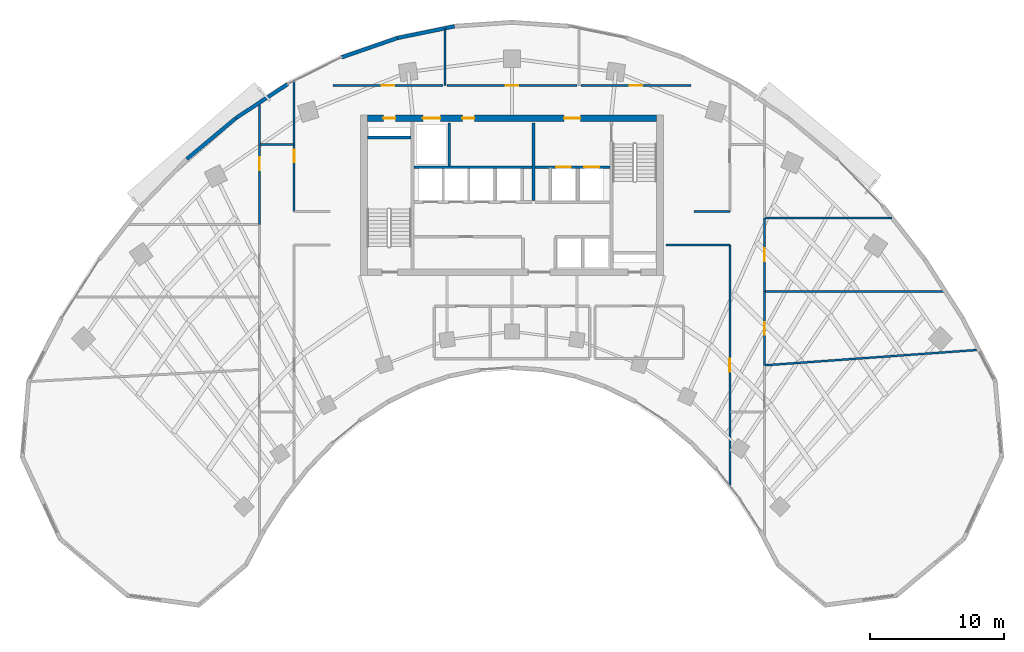
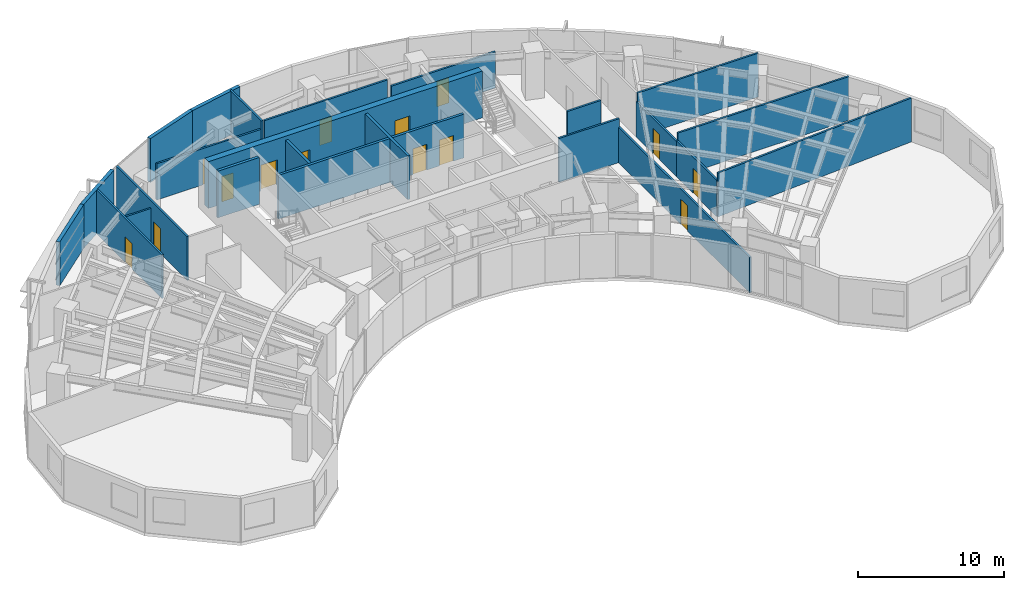
# One storey, part 10 of 14: 25 walls, 14 doors, 14 openings.
"""IFC4 building model written with IfcOpenShell, lengths in metres."""

from ifc_helpers import new_model, si_unit, direction, frame, frame_2d, origin, place, context, subcontext, project, spatial, rectangle, extrude, source, transform, mapped, material, layer, layer_set, type_object, type_shapes, element, fill, save


model = new_model("IFC4")

# Units and contexts
model_context = context("Model", 3, precision=1e-05, world=origin(), true_north=direction((0.0, 1.0)))
body_context = subcontext(model_context, "Body", "Model", "MODEL_VIEW")
ifc_project = project(units=[si_unit("LENGTHUNIT", "METRE"), si_unit("AREAUNIT", "SQUARE_METRE"), si_unit("VOLUMEUNIT", "CUBIC_METRE"), si_unit("PLANEANGLEUNIT", "RADIAN"), si_unit("MASSUNIT", "GRAM", prefix="KILO")], contexts=[model_context])

# Site, building, storey
site_placement = place(None, origin())
site = spatial("IfcSite", under=ifc_project, at=site_placement, CompositionType="ELEMENT")
building_placement = place(site_placement, origin())
building = spatial("IfcBuilding", under=site, at=building_placement, Name="Breltana Convention Tower", CompositionType="ELEMENT")
storey_placement = place(building_placement, frame((0.0, 0.0, 99.89990234375)))
storey = spatial("IfcBuildingStorey", under=building, at=storey_placement, Name="L23", CompositionType="ELEMENT", Elevation=99.89990234375)

# Wall, openings, doors
ifc_material_1 = material(Name="Concrete C60/75", Category="concrete")
ifc_layer_1 = layer(ifc_material_1, 0.5, Name="Concrete C60/75")
ifc_layer_set_1 = layer_set([ifc_layer_1], Name="Concrete C60/75")
wall_type_1 = type_object("IfcWallType", Name="SW-CORE-500", PredefinedType="SHEAR", material=ifc_layer_set_1)
shared_shape_1 = source(origin(), body_context, "Body", "SweptSolid", [
    extrude(rectangle(XDim=21.60009765625, YDim=0.5, at=frame_2d((10.800048828125, 0.0))), origin(), (0.0, 0.0, 1.0), 3.900146484375),
])
wall_1_placement = place(storey_placement, frame((37.199951171875, 71.949951171875, 0.0), z_axis=(0.0, 0.0, 1.0), x_axis=(1.0, 0.0, 0.0)))
wall_1 = element("IfcWall", 1, at=wall_1_placement, inside=storey, type_object=wall_type_1, Name="L23 North Core Shear Wall", PredefinedType="SHEAR", context=body_context, shape_type="MappedRepresentation", body=[
    mapped(shared_shape_1, transform((0.0, 0.0, 0.0), scale=1.0)),
])
opening_1_placement = place(wall_1_placement, frame((1.199951171875, 0.0, 0.0)))
opening_1 = element("IfcOpeningElement", 2, at=opening_1_placement, cuts=wall_1, Name="Opening D-18", PredefinedType="OPENING", context=body_context, shape_type="SweptSolid", body=[
    extrude(rectangle(XDim=0.89990234375, YDim=2.10009765625, at=frame_2d((0.449951171875, 1.050048828125))), frame((0.0, 0.260009765625, 0.0), z_axis=(0.0, -1.0, 0.0), x_axis=(1.0, 0.0, 0.0)), (0.0, 0.0, 1.0), 0.52001953125),
])
opening_2_placement = place(wall_1_placement, frame((14.699951171875, 0.0, 0.0)))
opening_2 = element("IfcOpeningElement", 3, at=opening_2_placement, cuts=wall_1, Name="Opening D-09", PredefinedType="OPENING", context=body_context, shape_type="SweptSolid", body=[
    extrude(rectangle(XDim=1.199951171875, YDim=2.14990234375, at=frame_2d((0.60009765625, 1.074951171875))), frame((0.0, 0.260009765625, 0.0), z_axis=(0.0, -1.0, 0.0), x_axis=(1.0, 0.0, 0.0)), (0.0, 0.0, 1.0), 0.52001953125),
])
opening_3_placement = place(wall_1_placement, frame((4.14990234375, 0.0, 0.0)))
opening_3 = element("IfcOpeningElement", 4, at=opening_3_placement, cuts=wall_1, Name="Opening LD-01", PredefinedType="OPENING", context=body_context, shape_type="SweptSolid", body=[
    extrude(rectangle(XDim=1.300048828125, YDim=2.14990234375, at=frame_2d((0.64990234375, 1.074951171875))), frame((0.0, 0.260009765625, 0.0), z_axis=(0.0, -1.0, 0.0), x_axis=(1.0, 0.0, 0.0)), (0.0, 0.0, 1.0), 0.52001953125),
])
opening_4_placement = place(wall_1_placement, frame((7.10009765625, 0.0, 0.0)))
opening_4 = element("IfcOpeningElement", 5, at=opening_4_placement, cuts=wall_1, Name="Opening D-18", PredefinedType="OPENING", context=body_context, shape_type="SweptSolid", body=[
    extrude(rectangle(XDim=0.89990234375, YDim=2.10009765625, at=frame_2d((0.449951171875, 1.050048828125))), frame((0.0, 0.260009765625, 0.0), z_axis=(0.0, -1.0, 0.0), x_axis=(1.0, 0.0, 0.0)), (0.0, 0.0, 1.0), 0.52001953125),
])
ifc_material_2 = material(Name="Steel Riser Fire Door", Category="steel")
door_type_1 = type_object("IfcDoorType", Name="DR-FD60-900", OperationType="NOTDEFINED", PredefinedType="DOOR", material=ifc_material_2)
shared_shape_2 = source(origin(), body_context, "Body", "SweptSolid", [
    extrude(rectangle(XDim=0.89990234375, YDim=2.10009765625, at=frame_2d((0.449951171875, 1.050048828125))), frame((0.0, 0.02490234375, 0.0), z_axis=(0.0, -1.0, 0.0), x_axis=(1.0, 0.0, 0.0)), (0.0, 0.0, 1.0), 0.050048828125),
])
type_shapes(door_type_1, [shared_shape_2])
door_1_placement = place(opening_1_placement, origin())
door_1 = element("IfcDoor", 6, at=door_1_placement, inside=storey, type_object=door_type_1, Name="L23 Core Riser Access Door D-L23-RS1", OperationType="SINGLE_SWING_LEFT", OverallHeight=2.10009765625, OverallWidth=0.89990234375, PredefinedType="DOOR", context=body_context, shape_type="MappedRepresentation", body=[
    mapped(shared_shape_2, transform((0.0, 0.0, 0.0), scale=1.0)),
])
fill(opening_1, door_1)
door_2_placement = place(opening_4_placement, origin())
door_2 = element("IfcDoor", 7, at=door_2_placement, inside=storey, type_object=door_type_1, Name="L23 interior door D-L23-CRA1", OperationType="SINGLE_SWING_LEFT", OverallHeight=2.10009765625, OverallWidth=0.89990234375, PredefinedType="DOOR", context=body_context, shape_type="MappedRepresentation", body=[
    mapped(shared_shape_2, transform((0.0, 0.0, 0.0), scale=1.0)),
])
fill(opening_4, door_2)
ifc_material_3 = material(Name="Steel Fire Lobby Door", Category="steel")
door_type_2 = type_object("IfcDoorType", Name="DR-FD120-1200", OperationType="NOTDEFINED", PredefinedType="DOOR", material=ifc_material_3)
shared_shape_3 = source(origin(), body_context, "Body", "SweptSolid", [
    extrude(rectangle(XDim=1.199951171875, YDim=2.14990234375, at=frame_2d((0.60009765625, 1.074951171875))), frame((0.0, 0.02490234375, 0.0), z_axis=(0.0, -1.0, 0.0), x_axis=(1.0, 0.0, 0.0)), (0.0, 0.0, 1.0), 0.050048828125),
])
type_shapes(door_type_2, [shared_shape_3])
door_3_placement = place(opening_2_placement, origin())
door_3 = element("IfcDoor", 8, at=door_3_placement, inside=storey, type_object=door_type_2, Name="L23 interior door D-L23-FFL-N", OperationType="SINGLE_SWING_RIGHT", OverallHeight=2.14990234375, OverallWidth=1.199951171875, PredefinedType="DOOR", context=body_context, shape_type="MappedRepresentation", body=[
    mapped(shared_shape_3, transform((0.0, 0.0, 0.0), scale=1.0)),
])
fill(opening_2, door_3)
ifc_material_4 = material(Name="Stainless Steel Brushed", Category="steel")
door_type_3 = type_object("IfcDoorType", Name="DR-LD-SRV-1300", OperationType="DOUBLE_DOOR_SLIDING", PredefinedType="DOOR", material=ifc_material_4)
shared_shape_4 = source(origin(), body_context, "Body", "SweptSolid", [
    extrude(rectangle(XDim=1.300048828125, YDim=2.14990234375, at=frame_2d((0.64990234375, 1.074951171875))), frame((0.0, 0.02490234375, 0.0), z_axis=(0.0, -1.0, 0.0), x_axis=(1.0, 0.0, 0.0)), (0.0, 0.0, 1.0), 0.050048828125),
])
type_shapes(door_type_3, [shared_shape_4])
door_4_placement = place(opening_3_placement, origin())
door_4 = element("IfcDoor", 9, at=door_4_placement, inside=storey, type_object=door_type_3, Name="L23 Lift Landing Door D-L23-LD-SV1", OperationType="DOUBLE_DOOR_SLIDING", OverallHeight=2.14990234375, OverallWidth=1.300048828125, PredefinedType="DOOR", context=body_context, shape_type="MappedRepresentation", body=[
    mapped(shared_shape_4, transform((0.0, 0.0, 0.0), scale=1.0)),
])
fill(opening_3, door_4)

# Walls
ifc_material_5 = material(Name="Concrete C50/60", Category="concrete")
ifc_layer_2 = layer(ifc_material_5, 0.39990234375, Name="Concrete C50/60")
ifc_layer_set_2 = layer_set([ifc_layer_2], Name="Concrete C50/60")
wall_type_2 = type_object("IfcWallType", Name="SW-CORE-400", PredefinedType="SHEAR", material=ifc_layer_set_2)
shared_shape_5 = source(origin(), body_context, "Body", "SweptSolid", [
    extrude(rectangle(XDim=3.27001953125, YDim=0.219970703125, at=frame_2d((1.635009765625, 0.0))), origin(), (0.0, 0.0, 1.0), 3.900146484375),
])
wall_2_placement = place(storey_placement, frame((37.199951171875, 70.510009765625, 0.0), z_axis=(0.0, 0.0, 1.0), x_axis=(1.0, 0.0, 0.0)))
element("IfcWall", 10, at=wall_2_placement, inside=storey, type_object=wall_type_2, Name="L23 ST-1 Stairwell North Bearing Wall", PredefinedType="SHEAR", context=body_context, shape_type="MappedRepresentation", body=[
    mapped(shared_shape_5, transform((0.0, 0.0, 0.0), scale=1.0)),
])
ifc_material_6 = material(Name="Limestone Buff Insulated Wall", Category="masonry")
ifc_layer_3 = layer(ifc_material_6, 0.280029296875, Name="Limestone Buff Insulated Wall")
ifc_layer_set_3 = layer_set([ifc_layer_3], Name="Limestone Buff Insulated Wall")
wall_type_3 = type_object("IfcWallType", Name="WL-EXT-NOSE-280", PredefinedType="SOLIDWALL", material=ifc_layer_set_3)
shared_shape_6 = source(origin(), body_context, "Body", "SweptSolid", [
    extrude(rectangle(XDim=4.76220703125, YDim=0.280029296875, at=frame_2d((2.381103515625, 0.0))), origin(), (0.0, 0.0, 1.0), 3.650146484375),
])
wall_3_placement = place(storey_placement, frame((23.724609375, 68.907470703125, 0.0), z_axis=(0.0, 0.0, 1.0), x_axis=(0.767952279762, 0.640507061638, 0.0)))
element("IfcWall", 11, at=wall_3_placement, inside=storey, type_object=wall_type_3, Name="L23 curved limestone nose wall E22", PredefinedType="SOLIDWALL", context=body_context, shape_type="MappedRepresentation", body=[
    mapped(shared_shape_6, transform((0.0, 0.0, 0.0), scale=1.0)),
])
shared_shape_7 = source(origin(), body_context, "Body", "SweptSolid", [
    extrude(rectangle(XDim=4.625732421875, YDim=0.280029296875, at=frame_2d((2.31298828125, 0.0))), origin(), (0.0, 0.0, 1.0), 3.650146484375),
])
wall_4_placement = place(storey_placement, frame((27.3818359375, 71.957763671875, 0.0), z_axis=(0.0, 0.0, 1.0), x_axis=(0.83595938331, 0.548791316855, 0.0)))
element("IfcWall", 12, at=wall_4_placement, inside=storey, type_object=wall_type_3, Name="L23 curved limestone nose wall E23", PredefinedType="SOLIDWALL", context=body_context, shape_type="MappedRepresentation", body=[
    mapped(shared_shape_7, transform((0.0, 0.0, 0.0), scale=1.0)),
])
shared_shape_8 = source(origin(), body_context, "Body", "SweptSolid", [
    extrude(rectangle(XDim=4.408935546875, YDim=0.280029296875, at=frame_2d((2.20458984375, 0.0))), origin(), (0.0, 0.0, 1.0), 3.650146484375),
])
wall_5_placement = place(storey_placement, frame((35.28564453125, 76.497314453125, 0.0), z_axis=(0.0, 0.0, 1.0), x_axis=(0.944879374121, 0.327418643881, 0.0)))
element("IfcWall", 13, at=wall_5_placement, inside=storey, type_object=wall_type_3, Name="L23 curved limestone nose wall E24", PredefinedType="SOLIDWALL", context=body_context, shape_type="MappedRepresentation", body=[
    mapped(shared_shape_8, transform((0.0, 0.0, 0.0), scale=1.0)),
])
shared_shape_9 = source(origin(), body_context, "Body", "SweptSolid", [
    extrude(rectangle(XDim=4.3408203125, YDim=0.280029296875, at=frame_2d((2.17041015625, 0.0))), origin(), (0.0, 0.0, 1.0), 3.650146484375),
])
wall_6_placement = place(storey_placement, frame((39.45166015625, 77.94091796875, 0.0), z_axis=(0.0, 0.0, 1.0), x_axis=(0.979612918634, 0.20089432457, 0.0)))
element("IfcWall", 14, at=wall_6_placement, inside=storey, type_object=wall_type_3, Name="L23 curved limestone nose wall E25", PredefinedType="SOLIDWALL", context=body_context, shape_type="MappedRepresentation", body=[
    mapped(shared_shape_9, transform((0.0, 0.0, 0.0), scale=1.0)),
])

# Wall, openings, doors
ifc_material_7 = material(Name="Autoclaved Aerated Concrete Block", Category="concrete")
ifc_layer_4 = layer(ifc_material_7, 0.199951171875, Name="Autoclaved Aerated Concrete Block")
ifc_layer_set_4 = layer_set([ifc_layer_4], Name="Autoclaved Aerated Concrete Block")
wall_type_4 = type_object("IfcWallType", Name="WL-SHAFT-200", PredefinedType="SOLIDWALL", material=ifc_layer_set_4)
shared_shape_10 = source(origin(), body_context, "Body", "SweptSolid", [
    extrude(rectangle(XDim=5.6201171875, YDim=0.199951171875, at=frame_2d((2.81005859375, 0.0))), origin(), (0.0, 0.0, 1.0), 3.650146484375),
])
wall_7_placement = place(storey_placement, frame((49.699951171875, 68.300048828125, 0.0), z_axis=(0.0, 0.0, 1.0), x_axis=(1.0, 0.0, 0.0)))
wall_7 = element("IfcWall", 15, at=wall_7_placement, inside=storey, type_object=wall_type_4, Name="L23 interior partition W-L23-FFL-S", PredefinedType="SOLIDWALL", context=body_context, shape_type="MappedRepresentation", body=[
    mapped(shared_shape_10, transform((0.0, 0.0, 0.0), scale=1.0)),
])
opening_5_placement = place(wall_7_placement, frame((1.60009765625, 0.0, 0.0)))
opening_5 = element("IfcOpeningElement", 16, at=opening_5_placement, cuts=wall_7, Name="Opening LD-03", PredefinedType="OPENING", context=body_context, shape_type="SweptSolid", body=[
    extrude(rectangle(XDim=1.10009765625, YDim=2.14990234375, at=frame_2d((0.550048828125, 1.074951171875))), frame((0.0, 0.10986328125, 0.0), z_axis=(0.0, -1.0, 0.0), x_axis=(1.0, 0.0, 0.0)), (0.0, 0.0, 1.0), 0.219970703125),
])
opening_6_placement = place(wall_7_placement, frame((3.699951171875, 0.0, 0.0)))
opening_6 = element("IfcOpeningElement", 17, at=opening_6_placement, cuts=wall_7, Name="Opening LD-03", PredefinedType="OPENING", context=body_context, shape_type="SweptSolid", body=[
    extrude(rectangle(XDim=1.10009765625, YDim=2.14990234375, at=frame_2d((0.550048828125, 1.074951171875))), frame((0.0, 0.10986328125, 0.0), z_axis=(0.0, -1.0, 0.0), x_axis=(1.0, 0.0, 0.0)), (0.0, 0.0, 1.0), 0.219970703125),
])
door_type_4 = type_object("IfcDoorType", Name="DR-LD-FF-1100", OperationType="DOUBLE_DOOR_SLIDING", PredefinedType="DOOR", material=ifc_material_4)
shared_shape_11 = source(origin(), body_context, "Body", "SweptSolid", [
    extrude(rectangle(XDim=1.10009765625, YDim=2.14990234375, at=frame_2d((0.550048828125, 1.074951171875))), frame((0.0, 0.02490234375, 0.0), z_axis=(0.0, -1.0, 0.0), x_axis=(1.0, 0.0, 0.0)), (0.0, 0.0, 1.0), 0.050048828125),
])
type_shapes(door_type_4, [shared_shape_11])
door_5_placement = place(opening_5_placement, origin())
door_5 = element("IfcDoor", 18, at=door_5_placement, inside=storey, type_object=door_type_4, Name="L23 Lift Landing Door D-L23-LD-FL1", OperationType="DOUBLE_DOOR_SLIDING", OverallHeight=2.14990234375, OverallWidth=1.10009765625, PredefinedType="DOOR", context=body_context, shape_type="MappedRepresentation", body=[
    mapped(shared_shape_11, transform((0.0, 0.0, 0.0), scale=1.0)),
])
fill(opening_5, door_5)
door_6_placement = place(opening_6_placement, origin())
door_6 = element("IfcDoor", 19, at=door_6_placement, inside=storey, type_object=door_type_4, Name="L23 Lift Landing Door D-L23-LD-FL2", OperationType="DOUBLE_DOOR_SLIDING", OverallHeight=2.14990234375, OverallWidth=1.10009765625, PredefinedType="DOOR", context=body_context, shape_type="MappedRepresentation", body=[
    mapped(shared_shape_11, transform((0.0, 0.0, 0.0), scale=1.0)),
])
fill(opening_6, door_6)

# Walls
shared_shape_12 = source(origin(), body_context, "Body", "SweptSolid", [
    extrude(rectangle(XDim=5.800048828125, YDim=0.199951171875, at=frame_2d((2.89990234375, 0.0))), origin(), (0.0, 0.0, 1.0), 3.650146484375),
])
wall_8_placement = place(storey_placement, frame((49.60009765625, 65.800048828125, 0.0), z_axis=(0.0, 0.0, 1.0), x_axis=(0.0, 1.0, 0.0)))
element("IfcWall", 20, at=wall_8_placement, inside=storey, type_object=wall_type_4, Name="L23 interior partition W-L23-FFL-W", PredefinedType="SOLIDWALL", context=body_context, shape_type="MappedRepresentation", body=[
    mapped(shared_shape_12, transform((0.0, 0.0, 0.0), scale=1.0)),
])
shared_shape_13 = source(origin(), body_context, "Body", "SweptSolid", [
    extrude(rectangle(XDim=3.2001953125, YDim=0.199951171875, at=frame_2d((1.60009765625, 0.0))), origin(), (0.0, 0.0, 1.0), 3.650146484375),
])
wall_9_placement = place(storey_placement, frame((43.320068359375, 68.39990234375, 0.0), z_axis=(0.0, 0.0, 1.0), x_axis=(0.0, 1.0, 0.0)))
element("IfcWall", 21, at=wall_9_placement, inside=storey, type_object=wall_type_4, Name="L23 interior partition W-L23-SV-E", PredefinedType="SOLIDWALL", context=body_context, shape_type="MappedRepresentation", body=[
    mapped(shared_shape_13, transform((0.0, 0.0, 0.0), scale=1.0)),
])
shared_shape_14 = source(origin(), body_context, "Body", "SweptSolid", [
    extrude(rectangle(XDim=8.800048828125, YDim=0.199951171875, at=frame_2d((4.39990234375, 0.0))), origin(), (0.0, 0.0, 1.0), 3.650146484375),
])
wall_10_placement = place(storey_placement, frame((40.699951171875, 68.300048828125, 0.0), z_axis=(0.0, 0.0, 1.0), x_axis=(1.0, 0.0, 0.0)))
element("IfcWall", 22, at=wall_10_placement, inside=storey, type_object=wall_type_4, Name="L23 interior partition W-L23-SV-S", PredefinedType="SOLIDWALL", context=body_context, shape_type="MappedRepresentation", body=[
    mapped(shared_shape_14, transform((0.0, 0.0, 0.0), scale=1.0)),
])
ifc_material_8 = material(Name="Gypsum Acoustic Drywall Partition")
ifc_layer_5 = layer(ifc_material_8, 0.14990234375, Name="Gypsum Acoustic Drywall Partition")
ifc_layer_set_5 = layer_set([ifc_layer_5], Name="Gypsum Acoustic Drywall Partition")
wall_type_5 = type_object("IfcWallType", Name="WL-PART-150", PredefinedType="PARTITIONING", material=ifc_layer_set_5)
shared_shape_15 = source(origin(), body_context, "Body", "SweptSolid", [
    extrude(rectangle(XDim=2.5, YDim=0.14990234375, at=frame_2d((1.25, 0.0))), origin(), (0.0, 0.0, 1.0), 3.022216796875),
])
wall_11_placement = place(storey_placement, frame((29.199951171875, 70.0, 0.0), z_axis=(0.0, 0.0, 1.0), x_axis=(1.0, 0.0, 0.0)))
element("IfcWall", 23, at=wall_11_placement, inside=storey, type_object=wall_type_5, Name="L23 interior partition W-L23-CORNW-N", PredefinedType="PARTITIONING", context=body_context, shape_type="MappedRepresentation", body=[
    mapped(shared_shape_15, transform((0.0, 0.0, 0.0), scale=1.0)),
])

# Wall, opening, door
shared_shape_16 = source(origin(), body_context, "Body", "SweptSolid", [
    extrude(rectangle(XDim=9.113037109375, YDim=0.14990234375, at=frame_2d((4.556640625, 0.0))), origin(), (0.0, 0.0, 1.0), 3.650146484375),
])
wall_12_placement = place(storey_placement, frame((29.159912109375, 64.0, 0.0), z_axis=(0.0, 0.0, 1.0), x_axis=(0.0, 1.0, 0.0)))
wall_12 = element("IfcWall", 24, at=wall_12_placement, inside=storey, type_object=wall_type_5, Name="L23 interior partition W-L23-ZW4-E", PredefinedType="PARTITIONING", context=body_context, shape_type="MappedRepresentation", body=[
    mapped(shared_shape_16, transform((0.0, 0.0, 0.0), scale=1.0)),
])
opening_7_placement = place(wall_12_placement, frame((4.08154296875, 0.0, 0.0)))
opening_7 = element("IfcOpeningElement", 25, at=opening_7_placement, cuts=wall_12, Name="Opening D-17", PredefinedType="OPENING", context=body_context, shape_type="SweptSolid", body=[
    extrude(rectangle(XDim=0.949951171875, YDim=2.10009765625, at=frame_2d((0.47509765625, 1.050048828125))), frame((0.0, 0.0849609375, 0.0), z_axis=(0.0, -1.0, 0.0), x_axis=(1.0, 0.0, 0.0)), (0.0, 0.0, 1.0), 0.169921875),
])
ifc_material_9 = material(Name="Timber Oak Veneer Door", Category="wood")
door_type_5 = type_object("IfcDoorType", Name="DR-INT-950", OperationType="NOTDEFINED", PredefinedType="DOOR", material=ifc_material_9)
shared_shape_17 = source(origin(), body_context, "Body", "SweptSolid", [
    extrude(rectangle(XDim=0.949951171875, YDim=2.10009765625, at=frame_2d((0.47509765625, 1.050048828125))), frame((0.0, 0.02490234375, 0.0), z_axis=(0.0, -1.0, 0.0), x_axis=(1.0, 0.0, 0.0)), (0.0, 0.0, 1.0), 0.050048828125),
])
type_shapes(door_type_5, [shared_shape_17])
door_7_placement = place(opening_7_placement, origin())
door_7 = element("IfcDoor", 26, at=door_7_placement, inside=storey, type_object=door_type_5, Name="L23 interior door D-L23-ZW4", OperationType="SINGLE_SWING_RIGHT", OverallHeight=2.10009765625, OverallWidth=0.949951171875, PredefinedType="DOOR", context=body_context, shape_type="MappedRepresentation", body=[
    mapped(shared_shape_17, transform((0.0, 0.0, 0.0), scale=1.0)),
])
fill(opening_7, door_7)

# Wall
shared_shape_18 = source(origin(), body_context, "Body", "SweptSolid", [
    extrude(rectangle(XDim=15.924072265625, YDim=0.14990234375, at=frame_2d((7.9619140625, 0.0))), origin(), (0.0, 0.0, 1.0), 3.650146484375),
])
wall_13_placement = place(storey_placement, frame((66.840087890625, 53.5, 0.0), z_axis=(0.0, 0.0, 1.0), x_axis=(0.997397082693, 0.072104503572, 0.0)))
element("IfcWall", 27, at=wall_13_placement, inside=storey, type_object=wall_type_5, Name="L23 interior partition W-L23-ZE1-N", PredefinedType="PARTITIONING", context=body_context, shape_type="MappedRepresentation", body=[
    mapped(shared_shape_18, transform((0.0, 0.0, 0.0), scale=1.0)),
])

# Wall, opening, door
shared_shape_19 = source(origin(), body_context, "Body", "SweptSolid", [
    extrude(rectangle(XDim=5.5, YDim=0.14990234375, at=frame_2d((2.75, 0.0))), origin(), (0.0, 0.0, 1.0), 3.022216796875),
])
wall_14_placement = place(storey_placement, frame((66.840087890625, 53.5, 0.0), z_axis=(0.0, 0.0, 1.0), x_axis=(0.0, 1.0, 0.0)))
wall_14 = element("IfcWall", 28, at=wall_14_placement, inside=storey, type_object=wall_type_5, Name="L23 interior partition W-L23-ZE2-W", PredefinedType="PARTITIONING", context=body_context, shape_type="MappedRepresentation", body=[
    mapped(shared_shape_19, transform((0.0, 0.0, 0.0), scale=1.0)),
])
opening_8_placement = place(wall_14_placement, frame((2.27490234375, 0.0, 0.0)))
opening_8 = element("IfcOpeningElement", 29, at=opening_8_placement, cuts=wall_14, Name="Opening D-17", PredefinedType="OPENING", context=body_context, shape_type="SweptSolid", body=[
    extrude(rectangle(XDim=0.949951171875, YDim=2.10009765625, at=frame_2d((0.47509765625, 1.050048828125))), frame((0.0, 0.0849609375, 0.0), z_axis=(0.0, -1.0, 0.0), x_axis=(1.0, 0.0, 0.0)), (0.0, 0.0, 1.0), 0.169921875),
])
door_8_placement = place(opening_8_placement, origin())
door_8 = element("IfcDoor", 30, at=door_8_placement, inside=storey, type_object=door_type_5, Name="L23 interior door D-L23-ZE2", OperationType="SINGLE_SWING_RIGHT", OverallHeight=2.10009765625, OverallWidth=0.949951171875, PredefinedType="DOOR", context=body_context, shape_type="MappedRepresentation", body=[
    mapped(shared_shape_17, transform((0.0, 0.0, 0.0), scale=1.0)),
])
fill(opening_8, door_8)

# Wall
shared_shape_20 = source(origin(), body_context, "Body", "SweptSolid", [
    extrude(rectangle(XDim=13.500244140625, YDim=0.14990234375, at=frame_2d((6.75, 0.0))), origin(), (0.0, 0.0, 1.0), 3.650146484375),
])
wall_15_placement = place(storey_placement, frame((66.840087890625, 59.0, 0.0), z_axis=(0.0, 0.0, 1.0), x_axis=(1.0, 0.0, 0.0)))
element("IfcWall", 31, at=wall_15_placement, inside=storey, type_object=wall_type_5, Name="L23 interior partition W-L23-ZE2-N", PredefinedType="PARTITIONING", context=body_context, shape_type="MappedRepresentation", body=[
    mapped(shared_shape_20, transform((0.0, 0.0, 0.0), scale=1.0)),
])

# Wall, opening, door
shared_shape_21 = source(origin(), body_context, "Body", "SweptSolid", [
    extrude(rectangle(XDim=5.5, YDim=0.14990234375, at=frame_2d((2.75, 0.0))), origin(), (0.0, 0.0, 1.0), 2.942138671875),
])
wall_16_placement = place(storey_placement, frame((66.840087890625, 59.0, 0.0), z_axis=(0.0, 0.0, 1.0), x_axis=(0.0, 1.0, 0.0)))
wall_16 = element("IfcWall", 32, at=wall_16_placement, inside=storey, type_object=wall_type_5, Name="L23 interior partition W-L23-ZE3-W", PredefinedType="PARTITIONING", context=body_context, shape_type="MappedRepresentation", body=[
    mapped(shared_shape_21, transform((0.0, 0.0, 0.0), scale=1.0)),
])
opening_9_placement = place(wall_16_placement, frame((2.27490234375, 0.0, 0.0)))
opening_9 = element("IfcOpeningElement", 33, at=opening_9_placement, cuts=wall_16, Name="Opening D-17", PredefinedType="OPENING", context=body_context, shape_type="SweptSolid", body=[
    extrude(rectangle(XDim=0.949951171875, YDim=2.10009765625, at=frame_2d((0.47509765625, 1.050048828125))), frame((0.0, 0.0849609375, 0.0), z_axis=(0.0, -1.0, 0.0), x_axis=(1.0, 0.0, 0.0)), (0.0, 0.0, 1.0), 0.169921875),
])
door_9_placement = place(opening_9_placement, origin())
door_9 = element("IfcDoor", 34, at=door_9_placement, inside=storey, type_object=door_type_5, Name="L23 interior door D-L23-ZE3", OperationType="SINGLE_SWING_LEFT", OverallHeight=2.10009765625, OverallWidth=0.949951171875, PredefinedType="DOOR", context=body_context, shape_type="MappedRepresentation", body=[
    mapped(shared_shape_17, transform((0.0, 0.0, 0.0), scale=1.0)),
])
fill(opening_9, door_9)

# Wall
shared_shape_22 = source(origin(), body_context, "Body", "SweptSolid", [
    extrude(rectangle(XDim=9.521240234375, YDim=0.14990234375, at=frame_2d((4.7607421875, 0.0))), origin(), (0.0, 0.0, 1.0), 3.650146484375),
])
wall_17_placement = place(storey_placement, frame((66.840087890625, 64.5, 0.0), z_axis=(0.0, 0.0, 1.0), x_axis=(1.0, 0.0, 0.0)))
element("IfcWall", 35, at=wall_17_placement, inside=storey, type_object=wall_type_5, Name="L23 interior partition W-L23-ZE3-N", PredefinedType="PARTITIONING", context=body_context, shape_type="MappedRepresentation", body=[
    mapped(shared_shape_22, transform((0.0, 0.0, 0.0), scale=1.0)),
])

# Wall, opening, door
shared_shape_23 = source(origin(), body_context, "Body", "SweptSolid", [
    extrude(rectangle(XDim=8.2001953125, YDim=0.14990234375, at=frame_2d((4.10009765625, 0.0))), origin(), (0.0, 0.0, 1.0), 3.022216796875),
])
wall_18_placement = place(storey_placement, frame((34.64990234375, 74.39990234375, 0.0), z_axis=(0.0, 0.0, 1.0), x_axis=(1.0, 0.0, 0.0)))
wall_18 = element("IfcWall", 36, at=wall_18_placement, inside=storey, type_object=wall_type_5, Name="L23 interior partition W-L23-ZN1-S", PredefinedType="PARTITIONING", context=body_context, shape_type="MappedRepresentation", body=[
    mapped(shared_shape_23, transform((0.0, 0.0, 0.0), scale=1.0)),
])
opening_10_placement = place(wall_18_placement, frame((3.625, 0.0, 0.0)))
opening_10 = element("IfcOpeningElement", 37, at=opening_10_placement, cuts=wall_18, Name="Opening D-17", PredefinedType="OPENING", context=body_context, shape_type="SweptSolid", body=[
    extrude(rectangle(XDim=0.949951171875, YDim=2.10009765625, at=frame_2d((0.47509765625, 1.050048828125))), frame((0.0, 0.0849609375, 0.0), z_axis=(0.0, -1.0, 0.0), x_axis=(1.0, 0.0, 0.0)), (0.0, 0.0, 1.0), 0.169921875),
])
door_10_placement = place(opening_10_placement, origin())
door_10 = element("IfcDoor", 38, at=door_10_placement, inside=storey, type_object=door_type_5, Name="L23 interior door D-L23-ZN1", OperationType="SINGLE_SWING_LEFT", OverallHeight=2.10009765625, OverallWidth=0.949951171875, PredefinedType="DOOR", context=body_context, shape_type="MappedRepresentation", body=[
    mapped(shared_shape_17, transform((0.0, 0.0, 0.0), scale=1.0)),
])
fill(opening_10, door_10)

wall_19_placement = place(storey_placement, frame((53.14990234375, 74.39990234375, 0.0), z_axis=(0.0, 0.0, 1.0), x_axis=(1.0, 0.0, 0.0)))
wall_19 = element("IfcWall", 39, at=wall_19_placement, inside=storey, type_object=wall_type_5, Name="L23 interior partition W-L23-ZN3-S", PredefinedType="PARTITIONING", context=body_context, shape_type="MappedRepresentation", body=[
    mapped(shared_shape_23, transform((0.0, 0.0, 0.0), scale=1.0)),
])
opening_11_placement = place(wall_19_placement, frame((3.625, 0.0, 0.0)))
opening_11 = element("IfcOpeningElement", 40, at=opening_11_placement, cuts=wall_19, Name="Opening D-17", PredefinedType="OPENING", context=body_context, shape_type="SweptSolid", body=[
    extrude(rectangle(XDim=0.949951171875, YDim=2.10009765625, at=frame_2d((0.47509765625, 1.050048828125))), frame((0.0, 0.0849609375, 0.0), z_axis=(0.0, -1.0, 0.0), x_axis=(1.0, 0.0, 0.0)), (0.0, 0.0, 1.0), 0.169921875),
])
door_11_placement = place(opening_11_placement, origin())
door_11 = element("IfcDoor", 41, at=door_11_placement, inside=storey, type_object=door_type_5, Name="L23 interior door D-L23-ZN3", OperationType="SINGLE_SWING_LEFT", OverallHeight=2.10009765625, OverallWidth=0.949951171875, PredefinedType="DOOR", context=body_context, shape_type="MappedRepresentation", body=[
    mapped(shared_shape_17, transform((0.0, 0.0, 0.0), scale=1.0)),
])
fill(opening_11, door_11)

# Wall
shared_shape_24 = source(origin(), body_context, "Body", "SweptSolid", [
    extrude(rectangle(XDim=4.258544921875, YDim=0.14990234375, at=frame_2d((2.12939453125, 0.0))), origin(), (0.0, 0.0, 1.0), 3.650146484375),
])
wall_20_placement = place(storey_placement, frame((43.0, 74.39990234375, 0.0), z_axis=(0.0, 0.0, 1.0), x_axis=(0.0, 1.0, 0.0)))
element("IfcWall", 42, at=wall_20_placement, inside=storey, type_object=wall_type_5, Name="L23 interior partition W-L23-ZN1-E", PredefinedType="PARTITIONING", context=body_context, shape_type="MappedRepresentation", body=[
    mapped(shared_shape_24, transform((0.0, 0.0, 0.0), scale=1.0)),
])

# Wall, opening, door
shared_shape_25 = source(origin(), body_context, "Body", "SweptSolid", [
    extrude(rectangle(XDim=9.7001953125, YDim=0.14990234375, at=frame_2d((4.85009765625, 0.0))), origin(), (0.0, 0.0, 1.0), 3.650146484375),
])
wall_21_placement = place(storey_placement, frame((43.14990234375, 74.39990234375, 0.0), z_axis=(0.0, 0.0, 1.0), x_axis=(1.0, 0.0, 0.0)))
wall_21 = element("IfcWall", 43, at=wall_21_placement, inside=storey, type_object=wall_type_5, Name="L23 interior partition W-L23-ZN2-S", PredefinedType="PARTITIONING", context=body_context, shape_type="MappedRepresentation", body=[
    mapped(shared_shape_25, transform((0.0, 0.0, 0.0), scale=1.0)),
])
opening_12_placement = place(wall_21_placement, frame((4.375, 0.0, 0.0)))
opening_12 = element("IfcOpeningElement", 44, at=opening_12_placement, cuts=wall_21, Name="Opening D-17", PredefinedType="OPENING", context=body_context, shape_type="SweptSolid", body=[
    extrude(rectangle(XDim=0.949951171875, YDim=2.10009765625, at=frame_2d((0.47509765625, 1.050048828125))), frame((0.0, 0.0849609375, 0.0), z_axis=(0.0, -1.0, 0.0), x_axis=(1.0, 0.0, 0.0)), (0.0, 0.0, 1.0), 0.169921875),
])
door_12_placement = place(opening_12_placement, origin())
door_12 = element("IfcDoor", 45, at=door_12_placement, inside=storey, type_object=door_type_5, Name="L23 interior door D-L23-ZN2", OperationType="SINGLE_SWING_RIGHT", OverallHeight=2.10009765625, OverallWidth=0.949951171875, PredefinedType="DOOR", context=body_context, shape_type="MappedRepresentation", body=[
    mapped(shared_shape_17, transform((0.0, 0.0, 0.0), scale=1.0)),
])
fill(opening_12, door_12)

shared_shape_26 = source(origin(), body_context, "Body", "SweptSolid", [
    extrude(rectangle(XDim=17.973876953125, YDim=0.14990234375, at=frame_2d((8.98681640625, 0.0))), origin(), (0.0, 0.0, 1.0), 2.942138671875),
])
wall_22_placement = place(storey_placement, frame((64.260009765625, 44.526123046875, 0.0), z_axis=(0.0, 0.0, 1.0), x_axis=(0.0, 1.0, 0.0)))
wall_22 = element("IfcWall", 46, at=wall_22_placement, inside=storey, type_object=wall_type_5, Name="L23 interior partition W-L23-ZME1-D", PredefinedType="PARTITIONING", context=body_context, shape_type="MappedRepresentation", body=[
    mapped(shared_shape_26, transform((0.0, 0.0, 0.0), scale=1.0)),
])
opening_13_placement = place(wall_22_placement, frame((8.511962890625, 0.0, 0.0)))
opening_13 = element("IfcOpeningElement", 47, at=opening_13_placement, cuts=wall_22, Name="Opening D-17", PredefinedType="OPENING", context=body_context, shape_type="SweptSolid", body=[
    extrude(rectangle(XDim=0.949951171875, YDim=2.10009765625, at=frame_2d((0.47509765625, 1.050048828125))), frame((0.0, 0.0849609375, 0.0), z_axis=(0.0, -1.0, 0.0), x_axis=(1.0, 0.0, 0.0)), (0.0, 0.0, 1.0), 0.169921875),
])
door_13_placement = place(opening_13_placement, origin())
door_13 = element("IfcDoor", 48, at=door_13_placement, inside=storey, type_object=door_type_5, Name="L23 interior door D-L23-ZME1", OperationType="SINGLE_SWING_RIGHT", OverallHeight=2.10009765625, OverallWidth=0.949951171875, PredefinedType="DOOR", context=body_context, shape_type="MappedRepresentation", body=[
    mapped(shared_shape_17, transform((0.0, 0.0, 0.0), scale=1.0)),
])
fill(opening_13, door_13)

# Wall
shared_shape_27 = source(origin(), body_context, "Body", "SweptSolid", [
    extrude(rectangle(XDim=2.659912109375, YDim=0.14990234375, at=frame_2d((1.330078125, 0.0))), origin(), (0.0, 0.0, 1.0), 3.650146484375),
])
wall_23_placement = place(storey_placement, frame((61.60009765625, 65.0, 0.0), z_axis=(0.0, 0.0, 1.0), x_axis=(1.0, 0.0, 0.0)))
element("IfcWall", 49, at=wall_23_placement, inside=storey, type_object=wall_type_5, Name="L23 interior partition W-L23-ZME2-TS", PredefinedType="PARTITIONING", context=body_context, shape_type="MappedRepresentation", body=[
    mapped(shared_shape_27, transform((0.0, 0.0, 0.0), scale=1.0)),
])

# Wall, opening, door
shared_shape_28 = source(origin(), body_context, "Body", "SweptSolid", [
    extrude(rectangle(XDim=9.728515625, YDim=0.14990234375, at=frame_2d((4.8642578125, 0.0))), origin(), (0.0, 0.0, 1.0), 3.650146484375),
])
wall_24_placement = place(storey_placement, frame((31.739990234375, 65.0, 0.0), z_axis=(0.0, 0.0, 1.0), x_axis=(0.0, 1.0, 0.0)))
wall_24 = element("IfcWall", 50, at=wall_24_placement, inside=storey, type_object=wall_type_5, Name="L23 interior partition W-L23-ZMW2-D", PredefinedType="PARTITIONING", context=body_context, shape_type="MappedRepresentation", body=[
    mapped(shared_shape_28, transform((0.0, 0.0, 0.0), scale=1.0)),
])
opening_14_placement = place(wall_24_placement, frame((3.64990234375, 0.0, 0.0)))
opening_14 = element("IfcOpeningElement", 51, at=opening_14_placement, cuts=wall_24, Name="Opening D-17", PredefinedType="OPENING", context=body_context, shape_type="SweptSolid", body=[
    extrude(rectangle(XDim=0.949951171875, YDim=2.10009765625, at=frame_2d((0.47509765625, 1.050048828125))), frame((0.0, 0.0849609375, 0.0), z_axis=(0.0, -1.0, 0.0), x_axis=(1.0, 0.0, 0.0)), (0.0, 0.0, 1.0), 0.169921875),
])
door_14_placement = place(opening_14_placement, origin())
door_14 = element("IfcDoor", 52, at=door_14_placement, inside=storey, type_object=door_type_5, Name="L23 interior door D-L23-ZMW2", OperationType="SINGLE_SWING_LEFT", OverallHeight=2.10009765625, OverallWidth=0.949951171875, PredefinedType="DOOR", context=body_context, shape_type="MappedRepresentation", body=[
    mapped(shared_shape_17, transform((0.0, 0.0, 0.0), scale=1.0)),
])
fill(opening_14, door_14)

# Wall
shared_shape_29 = source(origin(), body_context, "Body", "SweptSolid", [
    extrude(rectangle(XDim=4.760009765625, YDim=0.14990234375, at=frame_2d((2.3798828125, 0.0))), origin(), (0.0, 0.0, 1.0), 3.650146484375),
])
wall_25_placement = place(storey_placement, frame((59.5, 62.5, 0.0), z_axis=(0.0, 0.0, 1.0), x_axis=(1.0, 0.0, 0.0)))
element("IfcWall", 53, at=wall_25_placement, inside=storey, type_object=wall_type_5, Name="L23 interior partition W-L23-ZME1-TN", PredefinedType="PARTITIONING", context=body_context, shape_type="MappedRepresentation", body=[
    mapped(shared_shape_29, transform((0.0, 0.0, 0.0), scale=1.0)),
])

save(model, "model.ifc")
